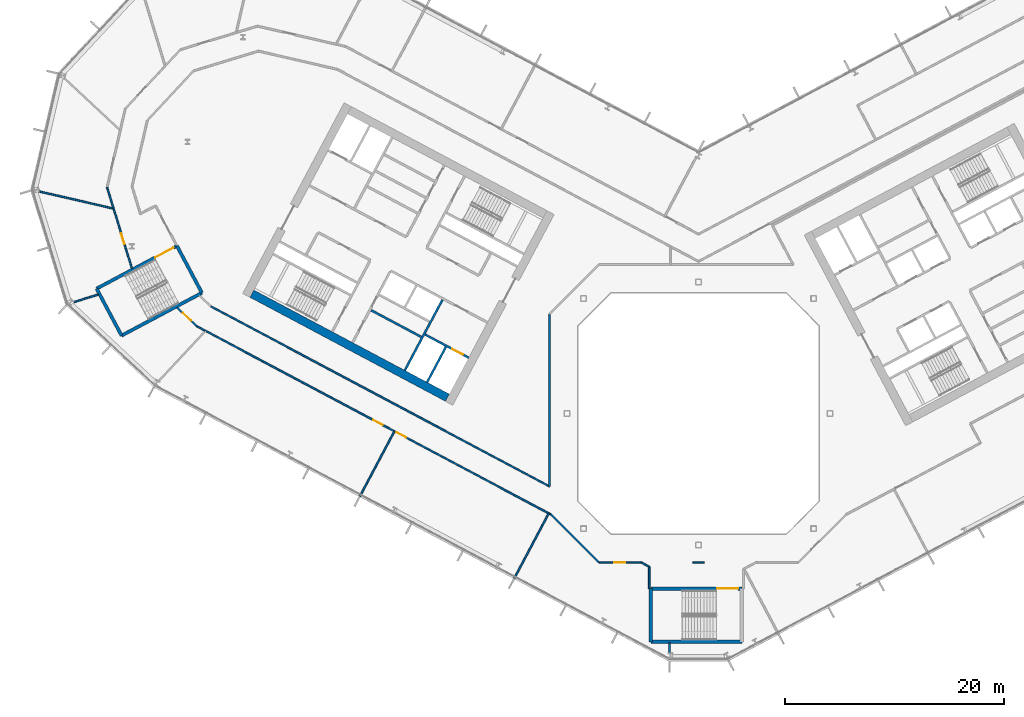
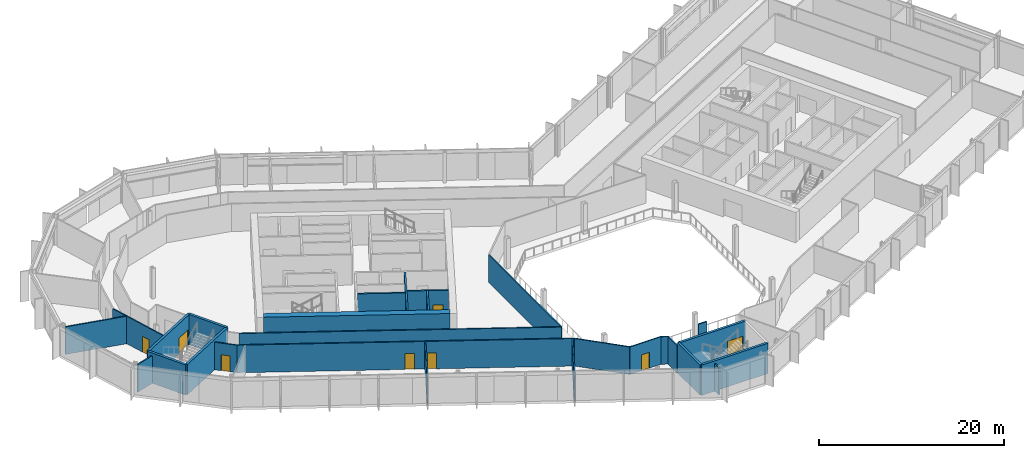
# One storey, part 13 of 28: 29 walls, 8 doors, 8 openings.
"""IFC4 building model written with IfcOpenShell, lengths in metres."""

from ifc_helpers import new_model, si_unit, direction, frame, frame_2d, origin, place, context, subcontext, project, spatial, rectangle, extrude, material, layer, layer_set, type_object, element, fill, save


model = new_model("IFC4")

# Units and contexts
model_context = context("Model", 3, precision=1e-05, world=origin(), true_north=direction((0.0, 1.0)))
body_context = subcontext(model_context, "Body", "Model", "MODEL_VIEW")
ifc_project = project(units=[si_unit("LENGTHUNIT", "METRE"), si_unit("AREAUNIT", "SQUARE_METRE"), si_unit("VOLUMEUNIT", "CUBIC_METRE"), si_unit("PLANEANGLEUNIT", "RADIAN"), si_unit("MASSUNIT", "GRAM", prefix="KILO")], contexts=[model_context])

# Site, building, storey
site_placement = place(None, origin())
site = spatial("IfcSite", under=ifc_project, at=site_placement, CompositionType="ELEMENT")
building_placement = place(site_placement, origin())
building = spatial("IfcBuilding", under=site, at=building_placement, Name="Cormorant Relay Tower", CompositionType="ELEMENT")
storey_placement = place(building_placement, frame((0.0, 0.0, 158.199951171875)))
storey = spatial("IfcBuildingStorey", under=building, at=storey_placement, Name="L33", CompositionType="ELEMENT", Elevation=158.199951171875)

# Walls
ifc_material_1 = material(Name="Concrete 40 MPa", Category="concrete")
ifc_layer_1 = layer(ifc_material_1, 0.199951171875)
ifc_layer_set_1 = layer_set([ifc_layer_1], Name="Core internal wall 200")
wall_type_1 = type_object("IfcWallType", Name="Core internal wall 200", PredefinedType="SOLIDWALL", material=ifc_layer_set_1)
wall_1_placement = place(storey_placement, frame((-25.279541015625, 6.985595703125, 0.0), z_axis=(0.0, 0.0, 1.0), x_axis=(-0.882934506056, 0.469496174655, 0.0)))
element("IfcWall", 1, at=wall_1_placement, inside=storey, type_object=wall_type_1, Name="L33 core A shaft and room wall", PredefinedType="SOLIDWALL", context=body_context, shape_type="SweptSolid", body=[
    extrude(rectangle(XDim=5.199951171875, YDim=0.199951171875, at=frame_2d((2.60009765625, 0.0))), origin(), (0.0, 0.0, 1.0), 4.0),
])
ifc_material_2 = material(Name="Concrete 50 MPa", Category="concrete")
ifc_layer_2 = layer(ifc_material_2, 0.199951171875)
ifc_layer_set_2 = layer_set([ifc_layer_2], Name="Core shaft wall 200")
wall_type_2 = type_object("IfcWallType", Name="Core shaft wall 200", PredefinedType="SHEAR", material=ifc_layer_set_2)
wall_2_placement = place(storey_placement, frame((-23.04296875, 6.07958984375, 0.0), z_axis=(0.0, 0.0, 1.0), x_axis=(-0.469494272526, -0.882935517501, 0.0)))
element("IfcWall", 2, at=wall_2_placement, inside=storey, type_object=wall_type_2, Name="L33 core A shaft wall", PredefinedType="SHEAR", context=body_context, shape_type="SweptSolid", body=[
    extrude(rectangle(XDim=3.64990234375, YDim=0.199951171875, at=frame_2d((1.824951171875, 0.0))), origin(), (0.0, 0.0, 1.0), 4.0),
])
wall_3_placement = place(storey_placement, frame((-23.360107421875, 10.38232421875, 0.0), z_axis=(0.0, 0.0, 1.0), x_axis=(-0.469480409012, -0.88294288918, 0.0)))
element("IfcWall", 3, at=wall_3_placement, inside=storey, type_object=wall_type_2, Name="L33 core A shaft wall", PredefinedType="SHEAR", context=body_context, shape_type="SweptSolid", body=[
    extrude(rectangle(XDim=7.300048828125, YDim=0.199951171875, at=frame_2d((3.64990234375, 0.0))), origin(), (0.0, 0.0, 1.0), 4.0),
])

# Wall, opening, door
wall_4_placement = place(storey_placement, frame((-20.96533203125, 5.088134765625, 0.0), z_axis=(0.0, 0.0, 1.0), x_axis=(-0.882925986334, 0.469512196493, 0.0)))
wall_4 = element("IfcWall", 4, at=wall_4_placement, inside=storey, type_object=wall_type_2, Name="L33 core A shaft wall", PredefinedType="SHEAR", context=body_context, shape_type="SweptSolid", body=[
    extrude(rectangle(XDim=4.5, YDim=0.199951171875, at=frame_2d((2.25, 0.0))), origin(), (0.0, 0.0, 1.0), 4.0),
])
opening_1_placement = place(wall_4_placement, frame((0.60009765625, 0.0, 0.0)))
opening_1 = element("IfcOpeningElement", 5, at=opening_1_placement, cuts=wall_4, Name="Opening LD1-043", PredefinedType="OPENING", context=body_context, shape_type="SweptSolid", body=[
    extrude(rectangle(XDim=1.10009765625, YDim=2.10009765625, at=frame_2d((0.550048828125, 1.050048828125))), frame((0.0, 0.10986328125, 0.0), z_axis=(0.0, -1.0, 0.0), x_axis=(1.0, 0.0, 0.0)), (0.0, 0.0, 1.0), 0.219970703125),
])
ifc_material_3 = material(Name="Stainless steel 316", Category="steel")
door_type_1 = type_object("IfcDoorType", Name="Lift landing door 1100x2100", OperationType="DOUBLE_DOOR_SLIDING", PredefinedType="DOOR", material=ifc_material_3)
door_1_placement = place(opening_1_placement, origin())
door_1 = element("IfcDoor", 6, at=door_1_placement, inside=storey, type_object=door_type_1, Name="FF1 landing door", OperationType="DOUBLE_DOOR_SLIDING", OverallHeight=2.10009765625, OverallWidth=1.10009765625, PredefinedType="DOOR", context=body_context, shape_type="SweptSolid", body=[
    extrude(rectangle(XDim=1.10009765625, YDim=2.10009765625, at=frame_2d((0.550048828125, 1.050048828125))), frame((0.0, 0.02490234375, 0.0), z_axis=(0.0, -1.0, 0.0), x_axis=(1.0, 0.0, 0.0)), (0.0, 0.0, 1.0), 0.050048828125),
])
fill(opening_1, door_1)

# Walls
ifc_material_4 = material(Name="Concrete 60 MPa", Category="concrete")
ifc_layer_3 = layer(ifc_material_4, 0.75)
ifc_layer_set_3 = layer_set([ifc_layer_3], Name="Core wall 750")
wall_type_3 = type_object("IfcWallType", Name="Core wall 750", PredefinedType="SHEAR", material=ifc_layer_set_3)
wall_5_placement = place(storey_placement, frame((-22.90185546875, 1.446044921875, 0.0), z_axis=(0.0, 0.0, 1.0), x_axis=(-0.88294509198, 0.469476266226, 0.0)))
element("IfcWall", 7, at=wall_5_placement, inside=storey, type_object=wall_type_3, Name="L33 core A wall", PredefinedType="SHEAR", context=body_context, shape_type="SweptSolid", body=[
    extrude(rectangle(XDim=20.199951171875, YDim=0.75, at=frame_2d((10.10009765625, 0.0))), origin(), (0.0, 0.0, 1.0), 4.0),
])
ifc_material_5 = material(Name="Gypsum board fire partition")
ifc_layer_4 = layer(ifc_material_5, 0.14990234375)
ifc_layer_set_4 = layer_set([ifc_layer_4], Name="Corridor partition 150 EI 60")
wall_type_4 = type_object("IfcWallType", Name="Corridor partition 150 EI 60", PredefinedType="PARTITIONING", material=ifc_layer_set_4)
wall_6_placement = place(storey_placement, frame((-53.943115234375, 20.6298828125, 0.0), z_axis=(0.0, 0.0, 1.0), x_axis=(0.292550297048, -0.956250136574, 0.0)))
element("IfcWall", 8, at=wall_6_placement, inside=storey, type_object=wall_type_4, Name="wall/L33/part/005", PredefinedType="PARTITIONING", context=body_context, shape_type="SweptSolid", body=[
    extrude(rectangle(XDim=2.000244140625, YDim=0.14990234375, at=frame_2d((1.0, 0.0))), origin(), (0.0, 0.0, 1.0), 3.64013671875),
])

# Wall, opening, door
wall_7_placement = place(storey_placement, frame((-51.677978515625, 13.221923828125, 0.0), z_axis=(0.0, 0.0, 1.0), x_axis=(-0.292356699481, 0.956309343397, 0.0)))
wall_7 = element("IfcWall", 9, at=wall_7_placement, inside=storey, type_object=wall_type_4, Name="wall/L33/part/006", PredefinedType="PARTITIONING", context=body_context, shape_type="SweptSolid", body=[
    extrude(rectangle(XDim=5.74609375, YDim=0.14990234375, at=frame_2d((2.873046875, 0.0))), origin(), (0.0, 0.0, 1.0), 3.64013671875),
])
opening_2_placement = place(wall_7_placement, frame((2.34912109375, 0.0, 0.0)))
opening_2 = element("IfcOpeningElement", 10, at=opening_2_placement, cuts=wall_7, Name="Opening DS-058", PredefinedType="OPENING", context=body_context, shape_type="SweptSolid", body=[
    extrude(rectangle(XDim=1.0, YDim=2.10009765625, at=frame_2d((0.5, 1.050048828125))), frame((0.0, 0.0849609375, 0.0), z_axis=(0.0, -1.0, 0.0), x_axis=(1.0, 0.0, 0.0)), (0.0, 0.0, 1.0), 0.169921875),
])
ifc_material_6 = material(Name="Timber door leaf", Category="wood")
door_type_2 = type_object("IfcDoorType", Name="Suite door 1000x2100", OperationType="SINGLE_SWING_LEFT", PredefinedType="DOOR", material=ifc_material_6)
door_2_placement = place(opening_2_placement, origin())
door_2 = element("IfcDoor", 11, at=door_2_placement, inside=storey, type_object=door_type_2, Name="door/L33/016", OperationType="SINGLE_SWING_LEFT", OverallHeight=2.10009765625, OverallWidth=1.0, PredefinedType="DOOR", context=body_context, shape_type="SweptSolid", body=[
    extrude(rectangle(XDim=1.0, YDim=2.10009765625, at=frame_2d((0.5, 1.050048828125))), frame((0.0, 0.02490234375, 0.0), z_axis=(0.0, -1.0, 0.0), x_axis=(1.0, 0.0, 0.0)), (0.0, 0.0, 1.0), 0.050048828125),
])
fill(opening_2, door_2)

# Wall
wall_8_placement = place(storey_placement, frame((-45.02001953125, 7.572021484375, 0.0), z_axis=(0.0, 0.0, 1.0), x_axis=(-0.88288015149, 0.46959837958, 0.0)))
element("IfcWall", 12, at=wall_8_placement, inside=storey, type_object=wall_type_4, Name="wall/L33/part/024", PredefinedType="PARTITIONING", context=body_context, shape_type="SweptSolid", body=[
    extrude(rectangle(XDim=0.832275390625, YDim=0.14990234375, at=frame_2d((0.416015625, 0.0))), origin(), (0.0, 0.0, 1.0), 3.64013671875),
])

# Wall, opening, door
wall_9_placement = place(storey_placement, frame((-45.7548828125, 7.962890625, 0.0), z_axis=(0.0, 0.0, 1.0), x_axis=(-0.731175081237, 0.682189856695, 0.0)))
wall_9 = element("IfcWall", 13, at=wall_9_placement, inside=storey, type_object=wall_type_4, Name="wall/L33/part/025", PredefinedType="PARTITIONING", context=body_context, shape_type="SweptSolid", body=[
    extrude(rectangle(XDim=2.5068359375, YDim=0.14990234375, at=frame_2d((1.25341796875, 0.0))), origin(), (0.0, 0.0, 1.0), 3.64013671875),
])
opening_3_placement = place(wall_9_placement, frame((0.75, 0.0, 0.0)))
opening_3 = element("IfcOpeningElement", 14, at=opening_3_placement, cuts=wall_9, Name="Opening DS-059", PredefinedType="OPENING", context=body_context, shape_type="SweptSolid", body=[
    extrude(rectangle(XDim=1.0, YDim=2.10009765625, at=frame_2d((0.5, 1.050048828125))), frame((0.0, 0.0849609375, 0.0), z_axis=(0.0, -1.0, 0.0), x_axis=(1.0, 0.0, 0.0)), (0.0, 0.0, 1.0), 0.169921875),
])
door_3_placement = place(opening_3_placement, origin())
door_3 = element("IfcDoor", 15, at=door_3_placement, inside=storey, type_object=door_type_2, Name="door/L33/017", OperationType="SINGLE_SWING_RIGHT", OverallHeight=2.10009765625, OverallWidth=1.0, PredefinedType="DOOR", context=body_context, shape_type="SweptSolid", body=[
    extrude(rectangle(XDim=1.0, YDim=2.10009765625, at=frame_2d((0.5, 1.050048828125))), frame((0.0, 0.02490234375, 0.0), z_axis=(0.0, -1.0, 0.0), x_axis=(1.0, 0.0, 0.0)), (0.0, 0.0, 1.0), 0.050048828125),
])
fill(opening_3, door_3)

# Walls
wall_10_placement = place(storey_placement, frame((-13.60009765625, 9.076904296875, 0.0), z_axis=(0.0, 0.0, 1.0), x_axis=(0.0, -1.0, 0.0)))
element("IfcWall", 16, at=wall_10_placement, inside=storey, type_object=wall_type_4, Name="wall/L33/part/028", PredefinedType="PARTITIONING", context=body_context, shape_type="SweptSolid", body=[
    extrude(rectangle(XDim=15.719970703125, YDim=0.14990234375, at=frame_2d((7.85986328125, 0.0))), origin(), (0.0, 0.0, 1.0), 3.64013671875),
])
wall_11_placement = place(storey_placement, frame((-13.60009765625, -6.64306640625, 0.0), z_axis=(0.0, 0.0, 1.0), x_axis=(-0.882949199944, 0.469468540287, 0.0)))
element("IfcWall", 17, at=wall_11_placement, inside=storey, type_object=wall_type_4, Name="wall/L33/part/029", PredefinedType="PARTITIONING", context=body_context, shape_type="SweptSolid", body=[
    extrude(rectangle(XDim=34.958984375, YDim=0.14990234375, at=frame_2d((17.4794921875, 0.0))), origin(), (0.0, 0.0, 1.0), 3.64013671875),
])

# Wall, openings, doors
wall_12_placement = place(storey_placement, frame((-13.47705078125, -9.199951171875, 0.0), z_axis=(0.0, 0.0, 1.0), x_axis=(-0.882944359403, 0.469477643981, 0.0)))
wall_12 = element("IfcWall", 18, at=wall_12_placement, inside=storey, type_object=wall_type_4, Name="wall/L33/part/031", PredefinedType="PARTITIONING", context=body_context, shape_type="SweptSolid", body=[
    extrude(rectangle(XDim=35.724853515625, YDim=0.14990234375, at=frame_2d((17.8623046875, 0.0))), origin(), (0.0, 0.0, 1.0), 3.64013671875),
])
opening_4_placement = place(wall_12_placement, frame((17.35009765625, 0.0, 0.0)))
opening_4 = element("IfcOpeningElement", 19, at=opening_4_placement, cuts=wall_12, Name="Opening DS-060", PredefinedType="OPENING", context=body_context, shape_type="SweptSolid", body=[
    extrude(rectangle(XDim=1.0, YDim=2.10009765625, at=frame_2d((0.5, 1.050048828125))), frame((0.0, 0.0849609375, 0.0), z_axis=(0.0, -1.0, 0.0), x_axis=(1.0, 0.0, 0.0)), (0.0, 0.0, 1.0), 0.169921875),
])
opening_5_placement = place(wall_12_placement, frame((14.948974609375, 0.0, 0.0)))
opening_5 = element("IfcOpeningElement", 20, at=opening_5_placement, cuts=wall_12, Name="Opening DS-061", PredefinedType="OPENING", context=body_context, shape_type="SweptSolid", body=[
    extrude(rectangle(XDim=1.0, YDim=2.10009765625, at=frame_2d((0.5, 1.050048828125))), frame((0.0, 0.0849609375, 0.0), z_axis=(0.0, -1.0, 0.0), x_axis=(1.0, 0.0, 0.0)), (0.0, 0.0, 1.0), 0.169921875),
])
door_4_placement = place(opening_4_placement, origin())
door_4 = element("IfcDoor", 21, at=door_4_placement, inside=storey, type_object=door_type_2, Name="door/L33/018", OperationType="SINGLE_SWING_LEFT", OverallHeight=2.10009765625, OverallWidth=1.0, PredefinedType="DOOR", context=body_context, shape_type="SweptSolid", body=[
    extrude(rectangle(XDim=1.0, YDim=2.10009765625, at=frame_2d((0.5, 1.050048828125))), frame((0.0, 0.02490234375, 0.0), z_axis=(0.0, -1.0, 0.0), x_axis=(1.0, 0.0, 0.0)), (0.0, 0.0, 1.0), 0.050048828125),
])
fill(opening_4, door_4)
door_5_placement = place(opening_5_placement, origin())
door_5 = element("IfcDoor", 22, at=door_5_placement, inside=storey, type_object=door_type_2, Name="door/L33/019", OperationType="SINGLE_SWING_RIGHT", OverallHeight=2.10009765625, OverallWidth=1.0, PredefinedType="DOOR", context=body_context, shape_type="SweptSolid", body=[
    extrude(rectangle(XDim=1.0, YDim=2.10009765625, at=frame_2d((0.5, 1.050048828125))), frame((0.0, 0.02490234375, 0.0), z_axis=(0.0, -1.0, 0.0), x_axis=(1.0, 0.0, 0.0)), (0.0, 0.0, 1.0), 0.050048828125),
])
fill(opening_5, door_5)

# Wall, opening, door
wall_13_placement = place(storey_placement, frame((-5.15087890625, -13.60009765625, 0.0), z_axis=(0.0, 0.0, 1.0), x_axis=(-1.0, 0.0, 0.0)))
wall_13 = element("IfcWall", 23, at=wall_13_placement, inside=storey, type_object=wall_type_4, Name="wall/L33/part/045", PredefinedType="PARTITIONING", context=body_context, shape_type="SweptSolid", body=[
    extrude(rectangle(XDim=3.926025390625, YDim=0.14990234375, at=frame_2d((1.962890625, 0.0))), origin(), (0.0, 0.0, 1.0), 3.64013671875),
])
opening_6_placement = place(wall_13_placement, frame((1.5390625, 0.0, 0.0)))
opening_6 = element("IfcOpeningElement", 24, at=opening_6_placement, cuts=wall_13, Name="Opening DS-062", PredefinedType="OPENING", context=body_context, shape_type="SweptSolid", body=[
    extrude(rectangle(XDim=1.0, YDim=2.10009765625, at=frame_2d((0.5, 1.050048828125))), frame((0.0, 0.0849609375, 0.0), z_axis=(0.0, -1.0, 0.0), x_axis=(1.0, 0.0, 0.0)), (0.0, 0.0, 1.0), 0.169921875),
])
door_6_placement = place(opening_6_placement, origin())
door_6 = element("IfcDoor", 25, at=door_6_placement, inside=storey, type_object=door_type_2, Name="door/L33/020", OperationType="SINGLE_SWING_LEFT", OverallHeight=2.10009765625, OverallWidth=1.0, PredefinedType="DOOR", context=body_context, shape_type="SweptSolid", body=[
    extrude(rectangle(XDim=1.0, YDim=2.10009765625, at=frame_2d((0.5, 1.050048828125))), frame((0.0, 0.02490234375, 0.0), z_axis=(0.0, -1.0, 0.0), x_axis=(1.0, 0.0, 0.0)), (0.0, 0.0, 1.0), 0.050048828125),
])
fill(opening_6, door_6)

# Walls
wall_14_placement = place(storey_placement, frame((-9.076904296875, -13.60009765625, 0.0), z_axis=(0.0, 0.0, 1.0), x_axis=(-0.707106781187, 0.707106781187, 0.0)))
element("IfcWall", 26, at=wall_14_placement, inside=storey, type_object=wall_type_4, Name="wall/L33/part/046", PredefinedType="PARTITIONING", context=body_context, shape_type="SweptSolid", body=[
    extrude(rectangle(XDim=6.22265625, YDim=0.14990234375, at=frame_2d((3.111328125, 0.0))), origin(), (0.0, 0.0, 1.0), 3.64013671875),
])
wall_15_placement = place(storey_placement, frame((-4.5, -13.972900390625, 0.0), z_axis=(0.0, 0.0, 1.0), x_axis=(-0.882888665287, 0.469582372655, 0.0)))
element("IfcWall", 27, at=wall_15_placement, inside=storey, type_object=wall_type_4, Name="wall/L33/part/047", PredefinedType="PARTITIONING", context=body_context, shape_type="SweptSolid", body=[
    extrude(rectangle(XDim=0.7939453125, YDim=0.14990234375, at=frame_2d((0.39697265625, 0.0))), origin(), (0.0, 0.0, 1.0), 3.64013671875),
])
wall_16_placement = place(storey_placement, frame((-4.5, -13.972900390625, 0.0), z_axis=(0.0, 0.0, 1.0), x_axis=(0.0, -1.0, 0.0)))
element("IfcWall", 28, at=wall_16_placement, inside=storey, type_object=wall_type_4, Name="wall/L33/part/048", PredefinedType="PARTITIONING", context=body_context, shape_type="SweptSolid", body=[
    extrude(rectangle(XDim=2.002197265625, YDim=0.14990234375, at=frame_2d((1.0009765625, 0.0))), origin(), (0.0, 0.0, 1.0), 3.64013671875),
])
wall_17_placement = place(storey_placement, frame((0.514892578125, -13.60009765625, 0.0), z_axis=(0.0, 0.0, 1.0), x_axis=(-1.0, 0.0, 0.0)))
element("IfcWall", 29, at=wall_17_placement, inside=storey, type_object=wall_type_4, Name="wall/L33/part/084", PredefinedType="PARTITIONING", context=body_context, shape_type="SweptSolid", body=[
    extrude(rectangle(XDim=1.02978515625, YDim=0.14990234375, at=frame_2d((0.514892578125, 0.0))), origin(), (0.0, 0.0, 1.0), 3.64013671875),
])
ifc_material_7 = material(Name="Concrete 50 MPa", Category="concrete")
ifc_layer_5 = layer(ifc_material_7, 0.300048828125)
ifc_layer_set_5 = layer_set([ifc_layer_5], Name="Remote stair wall 300")
wall_type_5 = type_object("IfcWallType", Name="Remote stair wall 300", PredefinedType="SHEAR", material=ifc_layer_set_5)
wall_18_placement = place(storey_placement, frame((3.949951171875, -20.824951171875, 0.0), z_axis=(0.0, 0.0, 1.0), x_axis=(-1.0, 0.0, 0.0)))
element("IfcWall", 30, at=wall_18_placement, inside=storey, type_object=wall_type_5, Name="L33 exit stair RK1 wall", PredefinedType="SHEAR", context=body_context, shape_type="SweptSolid", body=[
    extrude(rectangle(XDim=8.300048828125, YDim=0.300048828125, at=frame_2d((4.14990234375, 0.0))), origin(), (0.0, 0.0, 1.0), 4.0),
])
wall_19_placement = place(storey_placement, frame((-4.35009765625, -20.824951171875, 0.0), z_axis=(0.0, 0.0, 1.0), x_axis=(0.0, 1.0, 0.0)))
element("IfcWall", 31, at=wall_19_placement, inside=storey, type_object=wall_type_5, Name="L33 exit stair RK1 wall", PredefinedType="SHEAR", context=body_context, shape_type="SweptSolid", body=[
    extrude(rectangle(XDim=4.849853515625, YDim=0.300048828125, at=frame_2d((2.4248046875, 0.0))), origin(), (0.0, 0.0, 1.0), 4.0),
])

# Wall, opening, door
wall_20_placement = place(storey_placement, frame((-4.35009765625, -15.97509765625, 0.0), z_axis=(0.0, 0.0, 1.0), x_axis=(1.0, 0.0, 0.0)))
wall_20 = element("IfcWall", 32, at=wall_20_placement, inside=storey, type_object=wall_type_5, Name="L33 exit stair RK1 wall", PredefinedType="SHEAR", context=body_context, shape_type="SweptSolid", body=[
    extrude(rectangle(XDim=8.300048828125, YDim=0.300048828125, at=frame_2d((4.14990234375, 0.0))), origin(), (0.0, 0.0, 1.0), 4.0),
])
opening_7_placement = place(wall_20_placement, frame((6.050048828125, 0.0, 0.0)))
opening_7 = element("IfcOpeningElement", 33, at=opening_7_placement, cuts=wall_20, Name="Opening CDE-012", PredefinedType="OPENING", context=body_context, shape_type="SweptSolid", body=[
    extrude(rectangle(XDim=1.89990234375, YDim=2.10009765625, at=frame_2d((0.949951171875, 1.050048828125))), frame((0.0, 0.159912109375, 0.0), z_axis=(0.0, -1.0, 0.0), x_axis=(1.0, 0.0, 0.0)), (0.0, 0.0, 1.0), 0.320068359375),
])
ifc_material_8 = material(Name="Steel fire door", Category="steel")
door_type_3 = type_object("IfcDoorType", Name="Remote stair door 1900x2100", OperationType="DOUBLE_DOOR_SINGLE_SWING", PredefinedType="DOOR", material=ifc_material_8)
door_7_placement = place(opening_7_placement, frame((1.89990234375, 0.0, 0.0), z_axis=(0.0, 0.0, 1.0), x_axis=(-1.0, 0.0, 0.0)))
door_7 = element("IfcDoor", 34, at=door_7_placement, inside=storey, type_object=door_type_3, Name="Exit stair RK1 door", OperationType="DOUBLE_DOOR_SINGLE_SWING", OverallHeight=2.10009765625, OverallWidth=1.89990234375, PredefinedType="DOOR", context=body_context, shape_type="SweptSolid", body=[
    extrude(rectangle(XDim=1.89990234375, YDim=2.10009765625, at=frame_2d((0.949951171875, 1.050048828125))), frame((0.0, 0.02490234375, 0.0), z_axis=(0.0, -1.0, 0.0), x_axis=(1.0, 0.0, 0.0)), (0.0, 0.0, 1.0), 0.050048828125),
])
fill(opening_7, door_7)

# Walls
wall_21_placement = place(storey_placement, frame((-47.57421875, 15.28955078125, 0.0), z_axis=(0.0, 0.0, 1.0), x_axis=(0.469443498566, -0.882962514297, 0.0)))
element("IfcWall", 35, at=wall_21_placement, inside=storey, type_object=wall_type_5, Name="L33 exit stair RP1 wall", PredefinedType="SHEAR", context=body_context, shape_type="SweptSolid", body=[
    extrude(rectangle(XDim=4.85009765625, YDim=0.300048828125, at=frame_2d((2.425048828125, 0.0))), origin(), (0.0, 0.0, 1.0), 4.0),
])
wall_22_placement = place(storey_placement, frame((-45.29736328125, 11.007080078125, 0.0), z_axis=(0.0, 0.0, 1.0), x_axis=(-0.882951519127, -0.469464178475, 0.0)))
element("IfcWall", 36, at=wall_22_placement, inside=storey, type_object=wall_type_5, Name="L33 exit stair RP1 wall", PredefinedType="SHEAR", context=body_context, shape_type="SweptSolid", body=[
    extrude(rectangle(XDim=8.2998046875, YDim=0.300048828125, at=frame_2d((4.14990234375, 0.0))), origin(), (0.0, 0.0, 1.0), 4.0),
])
wall_23_placement = place(storey_placement, frame((-52.625732421875, 7.110595703125, 0.0), z_axis=(0.0, 0.0, 1.0), x_axis=(-0.469464364128, 0.882951420416, 0.0)))
element("IfcWall", 37, at=wall_23_placement, inside=storey, type_object=wall_type_5, Name="L33 exit stair RP1 wall", PredefinedType="SHEAR", context=body_context, shape_type="SweptSolid", body=[
    extrude(rectangle(XDim=4.849853515625, YDim=0.300048828125, at=frame_2d((2.4248046875, 0.0))), origin(), (0.0, 0.0, 1.0), 4.0),
])

# Wall, opening, door
wall_24_placement = place(storey_placement, frame((-54.902587890625, 11.392822265625, 0.0), z_axis=(0.0, 0.0, 1.0), x_axis=(0.882939326045, 0.469487110071, 0.0)))
wall_24 = element("IfcWall", 38, at=wall_24_placement, inside=storey, type_object=wall_type_5, Name="L33 exit stair RP1 wall", PredefinedType="SHEAR", context=body_context, shape_type="SweptSolid", body=[
    extrude(rectangle(XDim=8.300048828125, YDim=0.300048828125, at=frame_2d((4.14990234375, 0.0))), origin(), (0.0, 0.0, 1.0), 4.0),
])
opening_8_placement = place(wall_24_placement, frame((6.050048828125, 0.0, 0.0)))
opening_8 = element("IfcOpeningElement", 39, at=opening_8_placement, cuts=wall_24, Name="Opening CDE-013", PredefinedType="OPENING", context=body_context, shape_type="SweptSolid", body=[
    extrude(rectangle(XDim=1.89990234375, YDim=2.10009765625, at=frame_2d((0.949951171875, 1.050048828125))), frame((0.0, 0.159912109375, 0.0), z_axis=(0.0, -1.0, 0.0), x_axis=(1.0, 0.0, 0.0)), (0.0, 0.0, 1.0), 0.320068359375),
])
door_8_placement = place(opening_8_placement, frame((1.89990234375, 0.0, 0.0), z_axis=(0.0, 0.0, 1.0), x_axis=(-1.0, 0.0, 0.0)))
door_8 = element("IfcDoor", 40, at=door_8_placement, inside=storey, type_object=door_type_3, Name="Exit stair RP1 door", OperationType="DOUBLE_DOOR_SINGLE_SWING", OverallHeight=2.10009765625, OverallWidth=1.89990234375, PredefinedType="DOOR", context=body_context, shape_type="SweptSolid", body=[
    extrude(rectangle(XDim=1.89990234375, YDim=2.10009765625, at=frame_2d((0.949951171875, 1.050048828125))), frame((0.0, 0.02490234375, 0.0), z_axis=(0.0, -1.0, 0.0), x_axis=(1.0, 0.0, 0.0)), (0.0, 0.0, 1.0), 0.050048828125),
])
fill(opening_8, door_8)

# Walls
ifc_material_9 = material(Name="Gypsum board partition")
ifc_layer_6 = layer(ifc_material_9, 0.14990234375)
ifc_layer_set_6 = layer_set([ifc_layer_6], Name="Tenant partition 150")
wall_type_6 = type_object("IfcWallType", Name="Tenant partition 150", PredefinedType="PARTITIONING", material=ifc_layer_set_6)
wall_25_placement = place(storey_placement, frame((-53.35009765625, 18.69189453125, 0.0), z_axis=(0.0, 0.0, 1.0), x_axis=(-0.974352209791, 0.225028378824, 0.0)))
element("IfcWall", 41, at=wall_25_placement, inside=storey, type_object=wall_type_6, Name="wall/L33/part/001", PredefinedType="PARTITIONING", context=body_context, shape_type="SweptSolid", body=[
    extrude(rectangle(XDim=6.968505859375, YDim=0.14990234375, at=frame_2d((3.484375, 0.0))), origin(), (0.0, 0.0, 1.0), 3.64013671875),
])
wall_26_placement = place(storey_placement, frame((-54.73193359375, 10.85693359375, 0.0), z_axis=(0.0, 0.0, 1.0), x_axis=(-0.956196980242, -0.292723991119, 0.0)))
element("IfcWall", 42, at=wall_26_placement, inside=storey, type_object=wall_type_6, Name="wall/L33/part/003", PredefinedType="PARTITIONING", context=body_context, shape_type="SweptSolid", body=[
    extrude(rectangle(XDim=2.343505859375, YDim=0.14990234375, at=frame_2d((1.171875, 0.0))), origin(), (0.0, 0.0, 1.0), 3.64013671875),
])
wall_27_placement = place(storey_placement, frame((-27.739013671875, -1.615966796875, 0.0), z_axis=(0.0, 0.0, 1.0), x_axis=(-0.469581783496, -0.882888978643, 0.0)))
element("IfcWall", 43, at=wall_27_placement, inside=storey, type_object=wall_type_6, Name="wall/L33/part/012", PredefinedType="PARTITIONING", context=body_context, shape_type="SweptSolid", body=[
    extrude(rectangle(XDim=6.75048828125, YDim=0.14990234375, at=frame_2d((3.375244140625, 0.0))), origin(), (0.0, 0.0, 1.0), 3.64013671875),
])
wall_28_placement = place(storey_placement, frame((-13.656982421875, -9.10400390625, 0.0), z_axis=(0.0, 0.0, 1.0), x_axis=(-0.469469006851, -0.882948951869, 0.0)))
element("IfcWall", 44, at=wall_28_placement, inside=storey, type_object=wall_type_6, Name="wall/L33/part/042", PredefinedType="PARTITIONING", context=body_context, shape_type="SweptSolid", body=[
    extrude(rectangle(XDim=6.75, YDim=0.14990234375, at=frame_2d((3.375, 0.0))), origin(), (0.0, 0.0, 1.0), 3.64013671875),
])
wall_29_placement = place(storey_placement, frame((-2.64892578125, -20.925048828125, 0.0), z_axis=(0.0, 0.0, 1.0), x_axis=(0.0, -1.0, 0.0)))
element("IfcWall", 45, at=wall_29_placement, inside=storey, type_object=wall_type_6, Name="wall/L33/part/049", PredefinedType="PARTITIONING", context=body_context, shape_type="SweptSolid", body=[
    extrude(rectangle(XDim=0.90283203125, YDim=0.14990234375, at=frame_2d((0.451416015625, 0.0))), origin(), (0.0, 0.0, 1.0), 3.64013671875),
])

save(model, "model.ifc")
